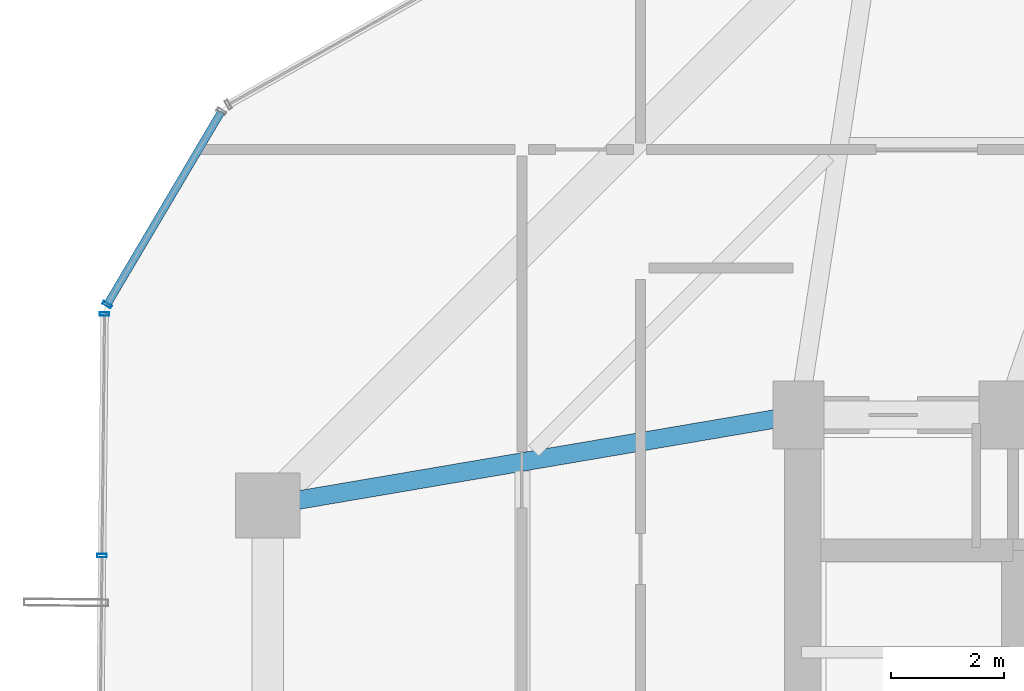
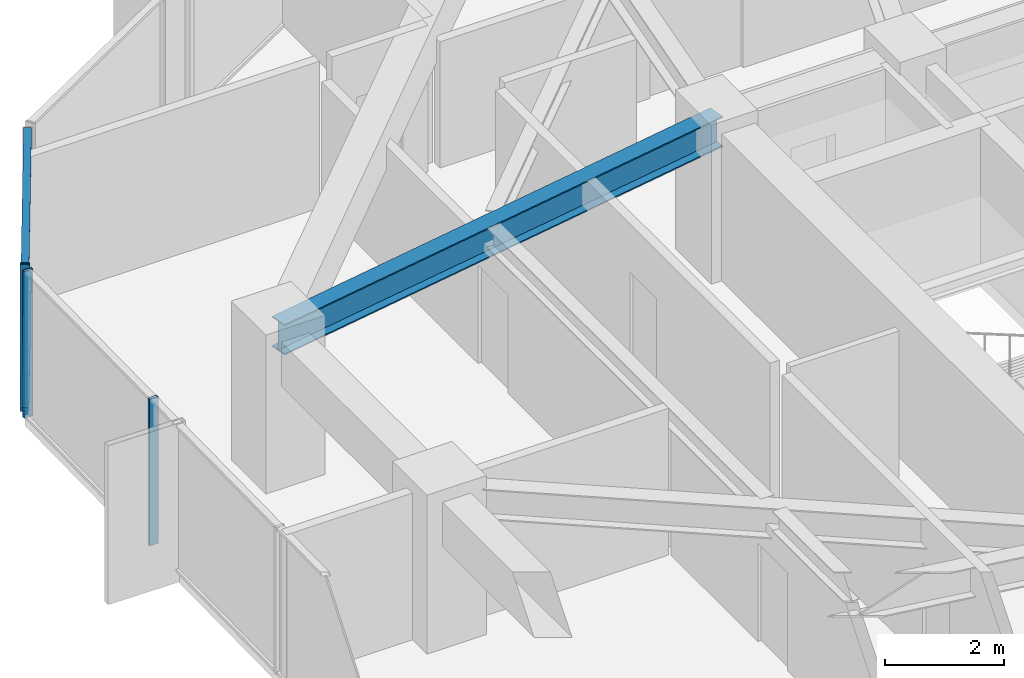
# One storey, part 11 of 30: 5 members, 1 beam, 2 elements without a shape of their own.
"""IFC4 building model written with IfcOpenShell, lengths in metres."""

from ifc_helpers import new_model, si_unit, direction, frame, origin, origin_2d, place, context, subcontext, project, spatial, hollow_rectangle, i_section, extrude, source, transform, mapped, material, layer, layer_set, material_profile, profile_set, type_object, element, aggregate, save


model = new_model("IFC4")

# Units and contexts
model_context = context("Model", 3, precision=1e-05, world=origin(), true_north=direction((0.0, 1.0)))
body_context = subcontext(model_context, "Body", "Model", "MODEL_VIEW")
ifc_project = project(units=[si_unit("LENGTHUNIT", "METRE"), si_unit("AREAUNIT", "SQUARE_METRE"), si_unit("VOLUMEUNIT", "CUBIC_METRE"), si_unit("PLANEANGLEUNIT", "RADIAN"), si_unit("MASSUNIT", "GRAM", prefix="KILO")], contexts=[model_context])

# Site, building, storey
site_placement = place(None, origin())
site = spatial("IfcSite", under=ifc_project, at=site_placement, CompositionType="ELEMENT")
building_placement = place(site_placement, origin())
building = spatial("IfcBuilding", under=site, at=building_placement, Name="Veraguas Prism Commons", CompositionType="ELEMENT")
storey_placement = place(building_placement, frame((0.0, 0.0, 126.25)))
storey = spatial("IfcBuildingStorey", under=building, at=storey_placement, Name="L35", CompositionType="ELEMENT", Elevation=126.25)

# Beam
ifc_material_1 = material(Name="Steel ASTM A992 Grade 50", Category="steel")
ifc_material_profile_1 = material_profile(ifc_material_1, i_section(OverallWidth=0.327880859375, OverallDepth=0.6220703125, WebThickness=0.015380859375, FlangeThickness=0.0244140625, at=origin_2d()), Name="W610X195")
ifc_profile_set_1 = profile_set([ifc_material_profile_1], Name="Steel ASTM A992 Grade 50")
beam_type = type_object("IfcBeamType", Name="Zone 2 Radial Girder W610x195", PredefinedType="BEAM", material=ifc_profile_set_1)
beam_placement = place(storey_placement, frame((7.800048828125, 29.39990234375, 2.68896484375), z_axis=(0.985819187151, 0.1678109956, 0.0), x_axis=(-0.1678109956, 0.985819187151, 0.0)))
element("IfcBeam", 1, at=beam_placement, inside=storey, type_object=beam_type, Name="Radial Floor Girder L35-RD07", PredefinedType="BEAM", context=body_context, shape_type="SweptSolid", body=[
    extrude(i_section(OverallWidth=0.327880859375, OverallDepth=0.6220703125, WebThickness=0.015380859375, FlangeThickness=0.0244140625, at=origin_2d()), origin(), (0.0, 0.0, 1.0), 9.53515625),
])

# Curtain wall, members
ifc_material_2 = material(Name="Anodised aluminium EN AW-6063 T6", Category="aluminium")
ifc_layer = layer(ifc_material_2, 0.169921875, Name="Unitised Flush Curtain Wall Zone 2", Category="aluminium")
ifc_layer_set = layer_set([ifc_layer], Name="Anodised aluminium EN AW-6063 T6")
curtain_wall_type = type_object("IfcCurtainWallType", Name="Unitised Flush Curtain Wall Zone 2", PredefinedType="NOTDEFINED", material=ifc_layer_set)
curtain_wall_1_placement = place(storey_placement, origin())
curtain_wall_1 = element("IfcCurtainWall", 2, at=curtain_wall_1_placement, inside=storey, type_object=curtain_wall_type, Name="Tower Facade Curtain Wall L35-F3", PredefinedType="NOTDEFINED")
ifc_material_profile_2 = material_profile(ifc_material_2, hollow_rectangle(XDim=0.06005859375, YDim=0.169921875, WallThickness=0.00390625, at=origin_2d()), Name="AL60X170X4")
ifc_profile_set_2 = profile_set([ifc_material_profile_2], Name="Anodised aluminium EN AW-6063 T6")
member_type_1 = type_object("IfcMemberType", Name="Curtain Wall Mullion Lower AL 60x170x4", PredefinedType="MULLION", material=ifc_profile_set_2)
shared_shape_1 = source(origin(), body_context, "Body", "SweptSolid", [
    extrude(hollow_rectangle(XDim=0.06005859375, YDim=0.169921875, WallThickness=0.00390625, at=origin_2d()), origin(), (0.0, 0.0, 1.0), 3.0),
])
member_1_placement = place(storey_placement, frame((4.90869140625, 32.78759765625, 0.0), z_axis=(0.0, 0.0, 1.0), x_axis=(-0.01047876505, -0.999945096234, 0.0)))
member_1 = element("IfcMember", 3, at=member_1_placement, type_object=member_type_1, Name="CW-Z2 Mullion 1", PredefinedType="MULLION", context=body_context, shape_type="MappedRepresentation", body=[
    mapped(shared_shape_1, transform((0.0, 0.0, 0.0), scale=1.0)),
])
member_2_placement = place(storey_placement, frame((4.86376953125, 28.50927734375, 0.0), z_axis=(0.0, 0.0, 1.0), x_axis=(-0.01047876505, -0.999945096234, 0.0)))
member_2 = element("IfcMember", 4, at=member_2_placement, type_object=member_type_1, Name="CW-Z2 Mullion 2", PredefinedType="MULLION", context=body_context, shape_type="MappedRepresentation", body=[
    mapped(shared_shape_1, transform((0.0, 0.0, 0.0), scale=1.0)),
])
aggregate(curtain_wall_1, [member_1, member_2])

curtain_wall_2_placement = place(storey_placement, origin())
curtain_wall_2 = element("IfcCurtainWall", 5, at=curtain_wall_2_placement, inside=storey, type_object=curtain_wall_type, Name="Chamfer Curtain Wall L35-C3", PredefinedType="NOTDEFINED")
member_3_placement = place(storey_placement, frame((4.955322265625, 32.955078125, 0.0), z_axis=(0.0, 0.0, 1.0), x_axis=(-0.50904141575, -0.860742027004, 0.0)))
member_3 = element("IfcMember", 6, at=member_3_placement, type_object=member_type_1, Name="CW-Z2 Mullion 2", PredefinedType="MULLION", context=body_context, shape_type="MappedRepresentation", body=[
    mapped(shared_shape_1, transform((0.0, 0.0, 0.0), scale=1.0)),
])
ifc_material_profile_3 = material_profile(ifc_material_2, hollow_rectangle(XDim=0.054931640625, YDim=0.135009765625, WallThickness=0.0029296875, at=origin_2d()), Name="AL55X135X3")
ifc_profile_set_3 = profile_set([ifc_material_profile_3], Name="Anodised aluminium EN AW-6063 T6")
member_type_2 = type_object("IfcMemberType", Name="Curtain Wall Transom Standard AL 55x135x3", PredefinedType="USERDEFINED", material=ifc_profile_set_3)
shared_shape_2 = source(origin(), body_context, "Body", "SweptSolid", [
    extrude(hollow_rectangle(XDim=0.054931640625, YDim=0.135009765625, WallThickness=0.0029296875, at=origin_2d()), origin(), (0.0, 0.0, 1.0), 3.97314453125),
])
member_4_placement = place(storey_placement, frame((6.977783203125, 36.375, 0.027587890625), z_axis=(-0.509027389232, -0.86075032211, 0.0), x_axis=(0.0, 0.0, 1.0)))
member_4 = element("IfcMember", 7, at=member_4_placement, type_object=member_type_2, Name="CW-Z2 Transom 1", ObjectType="TRANSOM", PredefinedType="USERDEFINED", context=body_context, shape_type="MappedRepresentation", body=[
    mapped(shared_shape_2, transform((0.0, 0.0, 0.0), scale=1.0)),
])
member_5_placement = place(storey_placement, frame((6.977783203125, 36.375, 2.972412109375), z_axis=(-0.509027389232, -0.86075032211, 0.0), x_axis=(0.0, 0.0, 1.0)))
member_5 = element("IfcMember", 8, at=member_5_placement, type_object=member_type_2, Name="CW-Z2 Transom 2", ObjectType="TRANSOM", PredefinedType="USERDEFINED", context=body_context, shape_type="MappedRepresentation", body=[
    mapped(shared_shape_2, transform((0.0, 0.0, 0.0), scale=1.0)),
])
aggregate(curtain_wall_2, [member_3, member_4, member_5])

save(model, "model.ifc")
